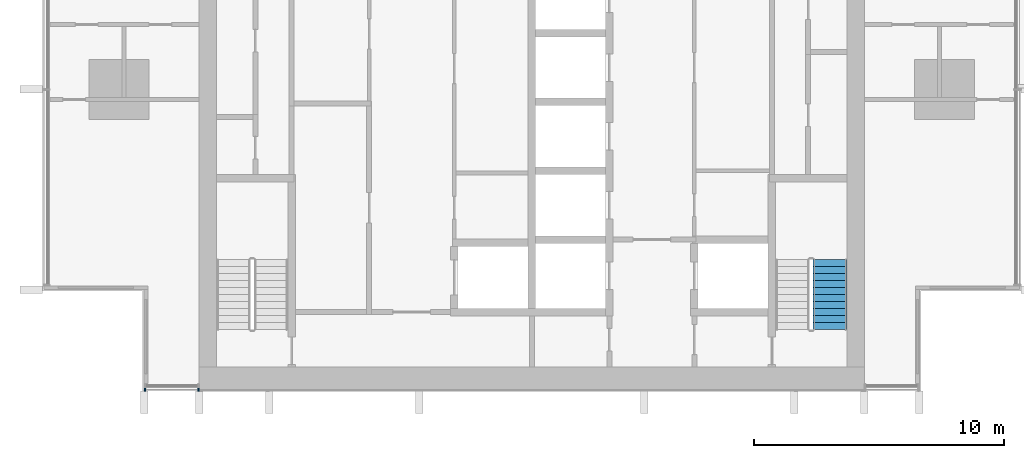
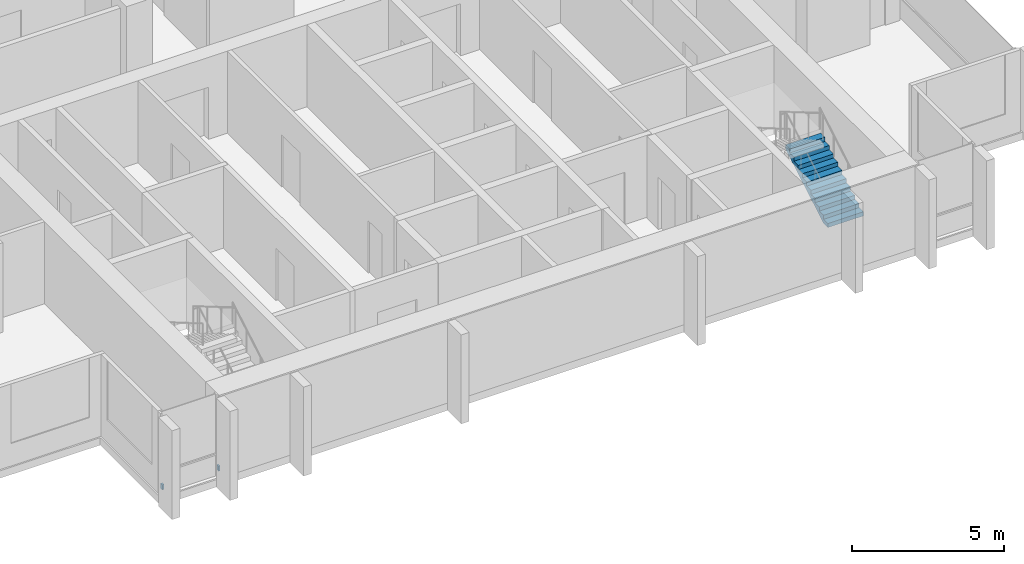
# One storey, part 12 of 17: 2 discrete accessories, 1 stair flight, 1 element without a shape of its own.
"""IFC4 building model written with IfcOpenShell, lengths in metres."""

from ifc_helpers import new_model, si_unit, direction, frame, origin, origin_2d, place, context, subcontext, project, spatial, polyline, rectangle, outline, extrude, material, type_object, element, aggregate, save


model = new_model("IFC4")

# Units and contexts
model_context = context("Model", 3, precision=1e-05, world=origin(), true_north=direction((0.0, 1.0)))
body_context = subcontext(model_context, "Body", "Model", "MODEL_VIEW")
ifc_project = project(units=[si_unit("LENGTHUNIT", "METRE"), si_unit("AREAUNIT", "SQUARE_METRE"), si_unit("VOLUMEUNIT", "CUBIC_METRE"), si_unit("PLANEANGLEUNIT", "RADIAN"), si_unit("MASSUNIT", "GRAM", prefix="KILO")], contexts=[model_context])

# Site, building, storey
site_placement = place(None, origin())
site = spatial("IfcSite", under=ifc_project, at=site_placement, CompositionType="ELEMENT")
building_placement = place(site_placement, origin())
building = spatial("IfcBuilding", under=site, at=building_placement, Name="Finial Court Residences", CompositionType="ELEMENT")
storey_placement = place(building_placement, frame((0.0, 0.0, 170.89990234375)))
storey = spatial("IfcBuildingStorey", under=building, at=storey_placement, Name="L42", CompositionType="ELEMENT", Elevation=170.89990234375)

# Stair, stair flight
ifc_material_1 = material(Name="Concrete C50/60", Category="concrete")
stair_type = type_object("IfcStairType", Name="Exit stair 22 risers of 163.6 mm", PredefinedType="HALF_TURN_STAIR", material=ifc_material_1)
stair_placement = place(storey_placement, origin())
stair = element("IfcStair", 1, at=stair_placement, inside=storey, type_object=stair_type, Name="L42 Exit stair ST-2", PredefinedType="HALF_TURN_STAIR")
stair_flight_type = type_object("IfcStairFlightType", Name="Exit stair flight", PredefinedType="STRAIGHT", material=ifc_material_1)
stair_flight_placement = place(storey_placement, frame((11.925048828125, -23.10009765625, 0.0), z_axis=(0.0, 0.0, 1.0), x_axis=(0.0, 1.0, 0.0)))
stair_flight = element("IfcStairFlight", 2, at=stair_flight_placement, type_object=stair_flight_type, Name="ST-2 flight 1", NumberOfRisers=11, NumberOfTreads=10, PredefinedType="STRAIGHT", RiserHeight=0.163636364, TreadLength=0.28, context=body_context, shape_type="SweptSolid", body=[
    extrude(outline(polyline([(0.0, 0.0), (0.0, 0.16357421875), (0.280029296875, 0.16357421875), (0.280029296875, 0.327392578125), (0.56005859375, 0.327392578125), (0.56005859375, 0.490966796875), (0.840087890625, 0.490966796875), (0.840087890625, 0.654541015625), (1.1201171875, 0.654541015625), (1.1201171875, 0.818115234375), (1.39990234375, 0.818115234375), (1.39990234375, 0.98193359375), (1.679931640625, 0.98193359375), (1.679931640625, 1.1455078125), (1.9599609375, 1.1455078125), (1.9599609375, 1.30908203125), (2.239990234375, 1.30908203125), (2.239990234375, 1.47265625), (2.52001953125, 1.47265625), (2.52001953125, 1.636474609375), (2.800048828125, 1.636474609375), (2.800048828125, 1.800048828125), (2.800048828125, 1.462646484375), (0.297119140625, 0.0), (0.0, 0.0)])), frame((0.0, 0.675048828125, 0.0), z_axis=(0.0, -1.0, 0.0), x_axis=(1.0, 0.0, 0.0)), (0.0, 0.0, 1.0), 1.35009765625),
])
aggregate(stair, [stair_flight])

# Discrete accessories
ifc_material_2 = material(Name="Stainless steel 316", Category="steel")
discrete_accessory_type = type_object("IfcDiscreteAccessoryType", Name="Fin bracket, stainless steel 60 x 122 x 200", PredefinedType="BRACKET", material=ifc_material_2)
for number, where, z_axis, x_axis, name in (
    (3, (-15.469970703125, -25.498779296875, 0.30029296875), (0.0, 0.0, 1.0), (1.0, 0.0, 0.0), "E-L42-FIN-S14-BRK"),
    (4, (-13.330078125, -25.498779296875, 0.30029296875), (0.0, 0.0, 1.0), (1.0, 0.0, 0.0), "E-L42-FIN-S15-BRK"),
):
    element("IfcDiscreteAccessory", number, at=place(storey_placement, frame(where, z_axis=z_axis, x_axis=x_axis)), inside=storey, type_object=discrete_accessory_type, Name=name, PredefinedType="BRACKET", context=body_context, shape_type="SweptSolid", body=[
        extrude(rectangle(XDim=0.06005859375, YDim=0.12255859375, at=origin_2d()), origin(), (0.0, 0.0, 1.0), 0.199951171875),
    ])

save(model, "model.ifc")
